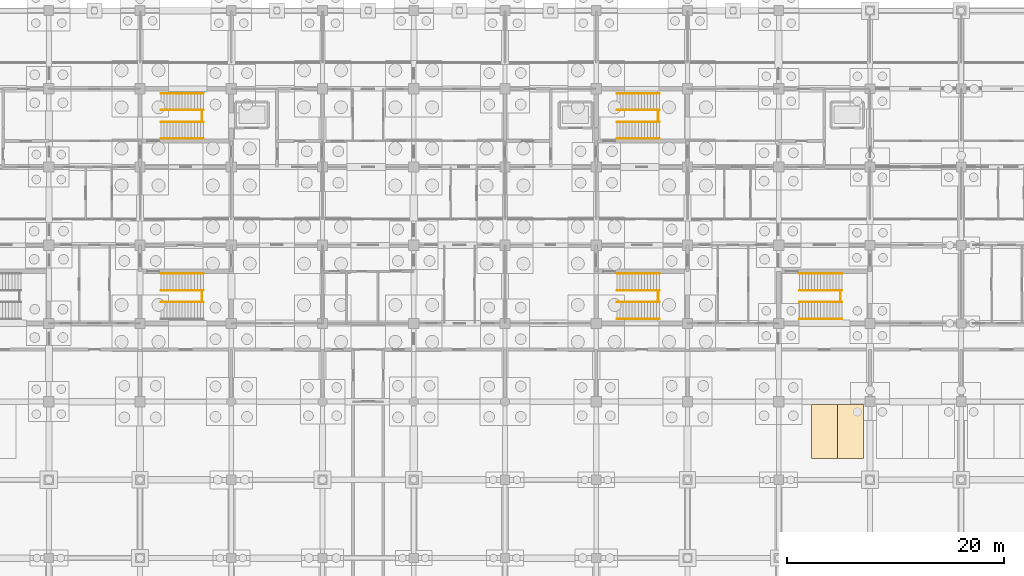
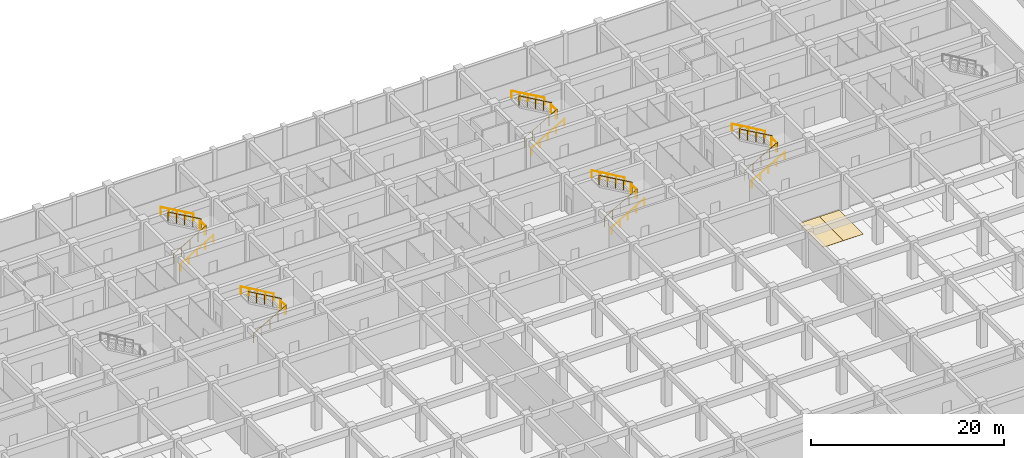
# One storey, part 83 of 85: 24 railings, 2 coverings.
"""IFC4 building model written with IfcOpenShell, lengths in metres."""

from ifc_helpers import new_model, si_unit, direction, frame, origin, origin_2d, place, context, subcontext, project, spatial, polyline, circle, outline, extrude, material, layer, layer_set, type_object, element, save


model = new_model("IFC4")

# Units and contexts
model_context = context("Model", 3, precision=1e-05, world=origin(), true_north=direction((0.0, 1.0)))
body_context = subcontext(model_context, "Body", "Model", "MODEL_VIEW")
ifc_project = project(units=[si_unit("LENGTHUNIT", "METRE"), si_unit("AREAUNIT", "SQUARE_METRE"), si_unit("VOLUMEUNIT", "CUBIC_METRE"), si_unit("PLANEANGLEUNIT", "RADIAN"), si_unit("MASSUNIT", "GRAM", prefix="KILO")], contexts=[model_context])

# Site, building, storey
site_placement = place(None, origin())
site = spatial("IfcSite", under=ifc_project, at=site_placement, CompositionType="ELEMENT")
building_placement = place(site_placement, origin())
building = spatial("IfcBuilding", under=site, at=building_placement, Name="Chengyuan Square Courthouse", CompositionType="ELEMENT")
storey_placement = place(building_placement, frame((0.0, 0.0, -10.199951171875)))
storey = spatial("IfcBuildingStorey", under=building, at=storey_placement, Name="B02", CompositionType="ELEMENT", Elevation=-10.199951171875)

# Coverings
ifc_material_1 = material(Name="Thermoplastic Parking Bay Marking Paint")
ifc_layer = layer(ifc_material_1, 0.010009765625)
ifc_layer_set = layer_set([ifc_layer], Name="Thermoplastic Parking Bay Marking Paint")
covering_type = type_object("IfcCoveringType", Name="PKB-01", PredefinedType="FLOORING", material=ifc_layer_set)
covering_1_placement = place(storey_placement, origin())
element("IfcCovering", 1, at=covering_1_placement, inside=storey, type_object=covering_type, Name="Parking Bay Marking B02-P240", PredefinedType="FLOORING", context=body_context, shape_type="SweptSolid", body=[
    extrude(outline(polyline([(120.60009765625, 73.949951171875), (123.0, 73.949951171875), (123.0, 78.949951171875), (120.60009765625, 78.949951171875), (120.60009765625, 73.949951171875)])), origin(), (0.0, 0.0, 1.0), 0.010009765625),
])
covering_2_placement = place(storey_placement, origin())
element("IfcCovering", 2, at=covering_2_placement, inside=storey, type_object=covering_type, Name="Parking Bay Marking B02-P241", PredefinedType="FLOORING", context=body_context, shape_type="SweptSolid", body=[
    extrude(outline(polyline([(123.0, 73.949951171875), (125.39990234375, 73.949951171875), (125.39990234375, 78.949951171875), (123.0, 78.949951171875), (123.0, 73.949951171875)])), origin(), (0.0, 0.0, 1.0), 0.010009765625),
])

# Railings
ifc_material_2 = material(Name="Tempered Glass and Timber Top-Rail Balustrade", Category="wood")
railing_type_1 = type_object("IfcRailingType", Name="RL-02", PredefinedType="BALUSTRADE", material=ifc_material_2)
railing_1_placement = place(storey_placement, frame((64.510009765625, 105.0, 2.39990234375)))
element("IfcRailing", 3, at=railing_1_placement, inside=storey, type_object=railing_type_1, Name="Stair Landing Guard ST-1-B02", PredefinedType="BALUSTRADE", context=body_context, shape_type="SweptSolid", body=[
    extrude(circle(Radius=0.02392578125, at=origin_2d()), frame((0.0, 0.0, 1.17578125), z_axis=(0.0, 1.0, 0.0), x_axis=(-1.0, 0.0, 0.0)), (0.0, 0.0, 1.0), 1.0),
    extrude(circle(Radius=0.02099609375, at=origin_2d()), origin(), (0.0, 0.0, 1.0), 1.15185546875),
    extrude(circle(Radius=0.02099609375, at=origin_2d()), frame((0.0, 1.0, 0.0)), (0.0, 0.0, 1.0), 1.15185546875),
])
railing_2_placement = place(storey_placement, frame((60.7099609375, 104.949951171875, 0.159912109375)))
element("IfcRailing", 4, at=railing_2_placement, inside=storey, type_object=railing_type_1, Name="Stair Flight 1 Guard ST-1-B02", PredefinedType="BALUSTRADE", context=body_context, shape_type="SweptSolid", body=[
    extrude(circle(Radius=0.02392578125, at=origin_2d()), frame((0.0, 0.0, 1.17578125), z_axis=(0.868239814368, 0.0, 0.496144761885), x_axis=(0.0, 1.0, 0.0)), (0.0, 0.0, 1.0), 4.514892578125),
    extrude(circle(Radius=0.02099609375, at=origin_2d()), origin(), (0.0, 0.0, 1.0), 1.15185546875),
    extrude(circle(Radius=0.02099609375, at=origin_2d()), frame((0.97998046875, 0.0, 0.56005859375)), (0.0, 0.0, 1.0), 1.15185546875),
    extrude(circle(Radius=0.02099609375, at=origin_2d()), frame((1.9599609375, 0.0, 1.1201171875)), (0.0, 0.0, 1.0), 1.15185546875),
    extrude(circle(Radius=0.02099609375, at=origin_2d()), frame((2.93994140625, 0.0, 1.679931640625)), (0.0, 0.0, 1.0), 1.15185546875),
    extrude(circle(Radius=0.02099609375, at=origin_2d()), frame((3.919921875, 0.0, 2.239990234375)), (0.0, 0.0, 1.0), 1.15185546875),
])
railing_3_placement = place(storey_placement, frame((64.6298828125, 106.050048828125, 2.56005859375)))
element("IfcRailing", 5, at=railing_3_placement, inside=storey, type_object=railing_type_1, Name="Stair Flight 2 Guard ST-1-B02", PredefinedType="BALUSTRADE", context=body_context, shape_type="SweptSolid", body=[
    extrude(circle(Radius=0.02392578125, at=origin_2d()), frame((0.0, 0.0, 1.17578125), z_axis=(-0.868239814368, 0.0, 0.496144761885), x_axis=(0.0, -1.0, 0.0)), (0.0, 0.0, 1.0), 4.514892578125),
    extrude(circle(Radius=0.02099609375, at=origin_2d()), origin(), (0.0, 0.0, 1.0), 1.15185546875),
    extrude(circle(Radius=0.02099609375, at=origin_2d()), frame((-0.97998046875, 0.0, 0.56005859375)), (0.0, 0.0, 1.0), 1.15185546875),
    extrude(circle(Radius=0.02099609375, at=origin_2d()), frame((-1.9599609375, 0.0, 1.1201171875)), (0.0, 0.0, 1.0), 1.15185546875),
    extrude(circle(Radius=0.02099609375, at=origin_2d()), frame((-2.93994140625, 0.0, 1.679931640625)), (0.0, 0.0, 1.0), 1.15185546875),
    extrude(circle(Radius=0.02099609375, at=origin_2d()), frame((-3.919921875, 0.0, 2.239990234375)), (0.0, 0.0, 1.0), 1.15185546875),
])
railing_4_placement = place(storey_placement, frame((106.510009765625, 105.0, 2.39990234375)))
element("IfcRailing", 6, at=railing_4_placement, inside=storey, type_object=railing_type_1, Name="Stair Landing Guard ST-2-B02", PredefinedType="BALUSTRADE", context=body_context, shape_type="SweptSolid", body=[
    extrude(circle(Radius=0.02392578125, at=origin_2d()), frame((0.0, 0.0, 1.17578125), z_axis=(0.0, 1.0, 0.0), x_axis=(-1.0, 0.0, 0.0)), (0.0, 0.0, 1.0), 1.0),
    extrude(circle(Radius=0.02099609375, at=origin_2d()), origin(), (0.0, 0.0, 1.0), 1.15185546875),
    extrude(circle(Radius=0.02099609375, at=origin_2d()), frame((0.0, 1.0, 0.0)), (0.0, 0.0, 1.0), 1.15185546875),
])
railing_5_placement = place(storey_placement, frame((102.7099609375, 104.949951171875, 0.159912109375)))
element("IfcRailing", 7, at=railing_5_placement, inside=storey, type_object=railing_type_1, Name="Stair Flight 1 Guard ST-2-B02", PredefinedType="BALUSTRADE", context=body_context, shape_type="SweptSolid", body=[
    extrude(circle(Radius=0.02392578125, at=origin_2d()), frame((0.0, 0.0, 1.17578125), z_axis=(0.868239814368, 0.0, 0.496144761885), x_axis=(0.0, 1.0, 0.0)), (0.0, 0.0, 1.0), 4.514892578125),
    extrude(circle(Radius=0.02099609375, at=origin_2d()), origin(), (0.0, 0.0, 1.0), 1.15185546875),
    extrude(circle(Radius=0.02099609375, at=origin_2d()), frame((0.97998046875, 0.0, 0.56005859375)), (0.0, 0.0, 1.0), 1.15185546875),
    extrude(circle(Radius=0.02099609375, at=origin_2d()), frame((1.9599609375, 0.0, 1.1201171875)), (0.0, 0.0, 1.0), 1.15185546875),
    extrude(circle(Radius=0.02099609375, at=origin_2d()), frame((2.93994140625, 0.0, 1.679931640625)), (0.0, 0.0, 1.0), 1.15185546875),
    extrude(circle(Radius=0.02099609375, at=origin_2d()), frame((3.919921875, 0.0, 2.239990234375)), (0.0, 0.0, 1.0), 1.15185546875),
])
railing_6_placement = place(storey_placement, frame((106.6298828125, 106.050048828125, 2.56005859375)))
element("IfcRailing", 8, at=railing_6_placement, inside=storey, type_object=railing_type_1, Name="Stair Flight 2 Guard ST-2-B02", PredefinedType="BALUSTRADE", context=body_context, shape_type="SweptSolid", body=[
    extrude(circle(Radius=0.02392578125, at=origin_2d()), frame((0.0, 0.0, 1.17578125), z_axis=(-0.868239814368, 0.0, 0.496144761885), x_axis=(0.0, -1.0, 0.0)), (0.0, 0.0, 1.0), 4.514892578125),
    extrude(circle(Radius=0.02099609375, at=origin_2d()), origin(), (0.0, 0.0, 1.0), 1.15185546875),
    extrude(circle(Radius=0.02099609375, at=origin_2d()), frame((-0.97998046875, 0.0, 0.56005859375)), (0.0, 0.0, 1.0), 1.15185546875),
    extrude(circle(Radius=0.02099609375, at=origin_2d()), frame((-1.9599609375, 0.0, 1.1201171875)), (0.0, 0.0, 1.0), 1.15185546875),
    extrude(circle(Radius=0.02099609375, at=origin_2d()), frame((-2.93994140625, 0.0, 1.679931640625)), (0.0, 0.0, 1.0), 1.15185546875),
    extrude(circle(Radius=0.02099609375, at=origin_2d()), frame((-3.919921875, 0.0, 2.239990234375)), (0.0, 0.0, 1.0), 1.15185546875),
])
railing_7_placement = place(storey_placement, frame((64.510009765625, 88.39990234375, 2.39990234375)))
element("IfcRailing", 9, at=railing_7_placement, inside=storey, type_object=railing_type_1, Name="Stair Landing Guard ST-3-B02", PredefinedType="BALUSTRADE", context=body_context, shape_type="SweptSolid", body=[
    extrude(circle(Radius=0.02392578125, at=origin_2d()), frame((0.0, 0.0, 1.17578125), z_axis=(0.0, 1.0, 0.0), x_axis=(-1.0, 0.0, 0.0)), (0.0, 0.0, 1.0), 1.0),
    extrude(circle(Radius=0.02099609375, at=origin_2d()), origin(), (0.0, 0.0, 1.0), 1.15185546875),
    extrude(circle(Radius=0.02099609375, at=origin_2d()), frame((0.0, 1.0, 0.0)), (0.0, 0.0, 1.0), 1.15185546875),
])
railing_8_placement = place(storey_placement, frame((60.7099609375, 88.35009765625, 0.159912109375)))
element("IfcRailing", 10, at=railing_8_placement, inside=storey, type_object=railing_type_1, Name="Stair Flight 1 Guard ST-3-B02", PredefinedType="BALUSTRADE", context=body_context, shape_type="SweptSolid", body=[
    extrude(circle(Radius=0.02392578125, at=origin_2d()), frame((0.0, 0.0, 1.17578125), z_axis=(0.868239814368, 0.0, 0.496144761885), x_axis=(0.0, 1.0, 0.0)), (0.0, 0.0, 1.0), 4.514892578125),
    extrude(circle(Radius=0.02099609375, at=origin_2d()), origin(), (0.0, 0.0, 1.0), 1.15185546875),
    extrude(circle(Radius=0.02099609375, at=origin_2d()), frame((0.97998046875, 0.0, 0.56005859375)), (0.0, 0.0, 1.0), 1.15185546875),
    extrude(circle(Radius=0.02099609375, at=origin_2d()), frame((1.9599609375, 0.0, 1.1201171875)), (0.0, 0.0, 1.0), 1.15185546875),
    extrude(circle(Radius=0.02099609375, at=origin_2d()), frame((2.93994140625, 0.0, 1.679931640625)), (0.0, 0.0, 1.0), 1.15185546875),
    extrude(circle(Radius=0.02099609375, at=origin_2d()), frame((3.919921875, 0.0, 2.239990234375)), (0.0, 0.0, 1.0), 1.15185546875),
])
railing_9_placement = place(storey_placement, frame((64.6298828125, 89.449951171875, 2.56005859375)))
element("IfcRailing", 11, at=railing_9_placement, inside=storey, type_object=railing_type_1, Name="Stair Flight 2 Guard ST-3-B02", PredefinedType="BALUSTRADE", context=body_context, shape_type="SweptSolid", body=[
    extrude(circle(Radius=0.02392578125, at=origin_2d()), frame((0.0, 0.0, 1.17578125), z_axis=(-0.868239814368, 0.0, 0.496144761885), x_axis=(0.0, -1.0, 0.0)), (0.0, 0.0, 1.0), 4.514892578125),
    extrude(circle(Radius=0.02099609375, at=origin_2d()), origin(), (0.0, 0.0, 1.0), 1.15185546875),
    extrude(circle(Radius=0.02099609375, at=origin_2d()), frame((-0.97998046875, 0.0, 0.56005859375)), (0.0, 0.0, 1.0), 1.15185546875),
    extrude(circle(Radius=0.02099609375, at=origin_2d()), frame((-1.9599609375, 0.0, 1.1201171875)), (0.0, 0.0, 1.0), 1.15185546875),
    extrude(circle(Radius=0.02099609375, at=origin_2d()), frame((-2.93994140625, 0.0, 1.679931640625)), (0.0, 0.0, 1.0), 1.15185546875),
    extrude(circle(Radius=0.02099609375, at=origin_2d()), frame((-3.919921875, 0.0, 2.239990234375)), (0.0, 0.0, 1.0), 1.15185546875),
])
railing_10_placement = place(storey_placement, frame((106.510009765625, 88.39990234375, 2.39990234375)))
element("IfcRailing", 12, at=railing_10_placement, inside=storey, type_object=railing_type_1, Name="Stair Landing Guard ST-4-B02", PredefinedType="BALUSTRADE", context=body_context, shape_type="SweptSolid", body=[
    extrude(circle(Radius=0.02392578125, at=origin_2d()), frame((0.0, 0.0, 1.17578125), z_axis=(0.0, 1.0, 0.0), x_axis=(-1.0, 0.0, 0.0)), (0.0, 0.0, 1.0), 1.0),
    extrude(circle(Radius=0.02099609375, at=origin_2d()), origin(), (0.0, 0.0, 1.0), 1.15185546875),
    extrude(circle(Radius=0.02099609375, at=origin_2d()), frame((0.0, 1.0, 0.0)), (0.0, 0.0, 1.0), 1.15185546875),
])
railing_11_placement = place(storey_placement, frame((102.7099609375, 88.35009765625, 0.159912109375)))
element("IfcRailing", 13, at=railing_11_placement, inside=storey, type_object=railing_type_1, Name="Stair Flight 1 Guard ST-4-B02", PredefinedType="BALUSTRADE", context=body_context, shape_type="SweptSolid", body=[
    extrude(circle(Radius=0.02392578125, at=origin_2d()), frame((0.0, 0.0, 1.17578125), z_axis=(0.868239814368, 0.0, 0.496144761885), x_axis=(0.0, 1.0, 0.0)), (0.0, 0.0, 1.0), 4.514892578125),
    extrude(circle(Radius=0.02099609375, at=origin_2d()), origin(), (0.0, 0.0, 1.0), 1.15185546875),
    extrude(circle(Radius=0.02099609375, at=origin_2d()), frame((0.97998046875, 0.0, 0.56005859375)), (0.0, 0.0, 1.0), 1.15185546875),
    extrude(circle(Radius=0.02099609375, at=origin_2d()), frame((1.9599609375, 0.0, 1.1201171875)), (0.0, 0.0, 1.0), 1.15185546875),
    extrude(circle(Radius=0.02099609375, at=origin_2d()), frame((2.93994140625, 0.0, 1.679931640625)), (0.0, 0.0, 1.0), 1.15185546875),
    extrude(circle(Radius=0.02099609375, at=origin_2d()), frame((3.919921875, 0.0, 2.239990234375)), (0.0, 0.0, 1.0), 1.15185546875),
])
railing_12_placement = place(storey_placement, frame((106.6298828125, 89.449951171875, 2.56005859375)))
element("IfcRailing", 14, at=railing_12_placement, inside=storey, type_object=railing_type_1, Name="Stair Flight 2 Guard ST-4-B02", PredefinedType="BALUSTRADE", context=body_context, shape_type="SweptSolid", body=[
    extrude(circle(Radius=0.02392578125, at=origin_2d()), frame((0.0, 0.0, 1.17578125), z_axis=(-0.868239814368, 0.0, 0.496144761885), x_axis=(0.0, -1.0, 0.0)), (0.0, 0.0, 1.0), 4.514892578125),
    extrude(circle(Radius=0.02099609375, at=origin_2d()), origin(), (0.0, 0.0, 1.0), 1.15185546875),
    extrude(circle(Radius=0.02099609375, at=origin_2d()), frame((-0.97998046875, 0.0, 0.56005859375)), (0.0, 0.0, 1.0), 1.15185546875),
    extrude(circle(Radius=0.02099609375, at=origin_2d()), frame((-1.9599609375, 0.0, 1.1201171875)), (0.0, 0.0, 1.0), 1.15185546875),
    extrude(circle(Radius=0.02099609375, at=origin_2d()), frame((-2.93994140625, 0.0, 1.679931640625)), (0.0, 0.0, 1.0), 1.15185546875),
    extrude(circle(Radius=0.02099609375, at=origin_2d()), frame((-3.919921875, 0.0, 2.239990234375)), (0.0, 0.0, 1.0), 1.15185546875),
])
railing_13_placement = place(storey_placement, frame((123.31005859375, 88.39990234375, 2.39990234375)))
element("IfcRailing", 15, at=railing_13_placement, inside=storey, type_object=railing_type_1, Name="Stair Landing Guard ST-6-B02", PredefinedType="BALUSTRADE", context=body_context, shape_type="SweptSolid", body=[
    extrude(circle(Radius=0.02392578125, at=origin_2d()), frame((0.0, 0.0, 1.17578125), z_axis=(0.0, 1.0, 0.0), x_axis=(-1.0, 0.0, 0.0)), (0.0, 0.0, 1.0), 1.0),
    extrude(circle(Radius=0.02099609375, at=origin_2d()), origin(), (0.0, 0.0, 1.0), 1.15185546875),
    extrude(circle(Radius=0.02099609375, at=origin_2d()), frame((0.0, 1.0, 0.0)), (0.0, 0.0, 1.0), 1.15185546875),
])
railing_14_placement = place(storey_placement, frame((119.510009765625, 88.35009765625, 0.159912109375)))
element("IfcRailing", 16, at=railing_14_placement, inside=storey, type_object=railing_type_1, Name="Stair Flight 1 Guard ST-6-B02", PredefinedType="BALUSTRADE", context=body_context, shape_type="SweptSolid", body=[
    extrude(circle(Radius=0.02392578125, at=origin_2d()), frame((0.0, 0.0, 1.17578125), z_axis=(0.868239814368, 0.0, 0.496144761885), x_axis=(0.0, 1.0, 0.0)), (0.0, 0.0, 1.0), 4.514892578125),
    extrude(circle(Radius=0.02099609375, at=origin_2d()), origin(), (0.0, 0.0, 1.0), 1.15185546875),
    extrude(circle(Radius=0.02099609375, at=origin_2d()), frame((0.97998046875, 0.0, 0.56005859375)), (0.0, 0.0, 1.0), 1.15185546875),
    extrude(circle(Radius=0.02099609375, at=origin_2d()), frame((1.9599609375, 0.0, 1.1201171875)), (0.0, 0.0, 1.0), 1.15185546875),
    extrude(circle(Radius=0.02099609375, at=origin_2d()), frame((2.93994140625, 0.0, 1.679931640625)), (0.0, 0.0, 1.0), 1.15185546875),
    extrude(circle(Radius=0.02099609375, at=origin_2d()), frame((3.919921875, 0.0, 2.239990234375)), (0.0, 0.0, 1.0), 1.15185546875),
])
railing_15_placement = place(storey_placement, frame((123.429931640625, 89.449951171875, 2.56005859375)))
element("IfcRailing", 17, at=railing_15_placement, inside=storey, type_object=railing_type_1, Name="Stair Flight 2 Guard ST-6-B02", PredefinedType="BALUSTRADE", context=body_context, shape_type="SweptSolid", body=[
    extrude(circle(Radius=0.02392578125, at=origin_2d()), frame((0.0, 0.0, 1.17578125), z_axis=(-0.868239814368, 0.0, 0.496144761885), x_axis=(0.0, -1.0, 0.0)), (0.0, 0.0, 1.0), 4.514892578125),
    extrude(circle(Radius=0.02099609375, at=origin_2d()), origin(), (0.0, 0.0, 1.0), 1.15185546875),
    extrude(circle(Radius=0.02099609375, at=origin_2d()), frame((-0.97998046875, 0.0, 0.56005859375)), (0.0, 0.0, 1.0), 1.15185546875),
    extrude(circle(Radius=0.02099609375, at=origin_2d()), frame((-1.9599609375, 0.0, 1.1201171875)), (0.0, 0.0, 1.0), 1.15185546875),
    extrude(circle(Radius=0.02099609375, at=origin_2d()), frame((-2.93994140625, 0.0, 1.679931640625)), (0.0, 0.0, 1.0), 1.15185546875),
    extrude(circle(Radius=0.02099609375, at=origin_2d()), frame((-3.919921875, 0.0, 2.239990234375)), (0.0, 0.0, 1.0), 1.15185546875),
])
ifc_material_3 = material(Name="Stainless Steel S30408 Stair Handrail", Category="steel")
railing_type_2 = type_object("IfcRailingType", Name="RL-04", PredefinedType="HANDRAIL", material=ifc_material_3)
railing_16_placement = place(storey_placement, frame((60.7099609375, 103.419921875, 0.159912109375)))
element("IfcRailing", 18, at=railing_16_placement, inside=storey, type_object=railing_type_2, Name="Stair Flight 1 Handrail ST-1-B02", PredefinedType="HANDRAIL", context=body_context, shape_type="SweptSolid", body=[
    extrude(circle(Radius=0.02392578125, at=origin_2d()), frame((0.0, 0.0, 0.8759765625), z_axis=(0.868239814368, 0.0, 0.496144761885), x_axis=(0.0, 1.0, 0.0)), (0.0, 0.0, 1.0), 4.514892578125),
    extrude(circle(Radius=0.02099609375, at=origin_2d()), origin(), (0.0, 0.0, 1.0), 0.851806640625),
    extrude(circle(Radius=0.02099609375, at=origin_2d()), frame((0.97998046875, 0.0, 0.56005859375)), (0.0, 0.0, 1.0), 0.851806640625),
    extrude(circle(Radius=0.02099609375, at=origin_2d()), frame((1.9599609375, 0.0, 1.1201171875)), (0.0, 0.0, 1.0), 0.851806640625),
    extrude(circle(Radius=0.02099609375, at=origin_2d()), frame((2.93994140625, 0.0, 1.679931640625)), (0.0, 0.0, 1.0), 0.851806640625),
    extrude(circle(Radius=0.02099609375, at=origin_2d()), frame((3.919921875, 0.0, 2.239990234375)), (0.0, 0.0, 1.0), 0.851806640625),
])
railing_17_placement = place(storey_placement, frame((64.6298828125, 107.580078125, 2.56005859375)))
element("IfcRailing", 19, at=railing_17_placement, inside=storey, type_object=railing_type_2, Name="Stair Flight 2 Handrail ST-1-B02", PredefinedType="HANDRAIL", context=body_context, shape_type="SweptSolid", body=[
    extrude(circle(Radius=0.02392578125, at=origin_2d()), frame((0.0, 0.0, 0.8759765625), z_axis=(-0.868239814368, 0.0, 0.496144761885), x_axis=(0.0, -1.0, 0.0)), (0.0, 0.0, 1.0), 4.514892578125),
    extrude(circle(Radius=0.02099609375, at=origin_2d()), origin(), (0.0, 0.0, 1.0), 0.851806640625),
    extrude(circle(Radius=0.02099609375, at=origin_2d()), frame((-0.97998046875, 0.0, 0.56005859375)), (0.0, 0.0, 1.0), 0.851806640625),
    extrude(circle(Radius=0.02099609375, at=origin_2d()), frame((-1.9599609375, 0.0, 1.1201171875)), (0.0, 0.0, 1.0), 0.851806640625),
    extrude(circle(Radius=0.02099609375, at=origin_2d()), frame((-2.93994140625, 0.0, 1.679931640625)), (0.0, 0.0, 1.0), 0.851806640625),
    extrude(circle(Radius=0.02099609375, at=origin_2d()), frame((-3.919921875, 0.0, 2.239990234375)), (0.0, 0.0, 1.0), 0.851806640625),
])
railing_18_placement = place(storey_placement, frame((102.7099609375, 103.419921875, 0.159912109375)))
element("IfcRailing", 20, at=railing_18_placement, inside=storey, type_object=railing_type_2, Name="Stair Flight 1 Handrail ST-2-B02", PredefinedType="HANDRAIL", context=body_context, shape_type="SweptSolid", body=[
    extrude(circle(Radius=0.02392578125, at=origin_2d()), frame((0.0, 0.0, 0.8759765625), z_axis=(0.868239814368, 0.0, 0.496144761885), x_axis=(0.0, 1.0, 0.0)), (0.0, 0.0, 1.0), 4.514892578125),
    extrude(circle(Radius=0.02099609375, at=origin_2d()), origin(), (0.0, 0.0, 1.0), 0.851806640625),
    extrude(circle(Radius=0.02099609375, at=origin_2d()), frame((0.97998046875, 0.0, 0.56005859375)), (0.0, 0.0, 1.0), 0.851806640625),
    extrude(circle(Radius=0.02099609375, at=origin_2d()), frame((1.9599609375, 0.0, 1.1201171875)), (0.0, 0.0, 1.0), 0.851806640625),
    extrude(circle(Radius=0.02099609375, at=origin_2d()), frame((2.93994140625, 0.0, 1.679931640625)), (0.0, 0.0, 1.0), 0.851806640625),
    extrude(circle(Radius=0.02099609375, at=origin_2d()), frame((3.919921875, 0.0, 2.239990234375)), (0.0, 0.0, 1.0), 0.851806640625),
])
for number, where, name in (
    (21, (106.6298828125, 107.580078125, 2.56005859375), "Stair Flight 2 Handrail ST-2-B02"),
    (22, (64.6298828125, 90.97998046875, 2.56005859375), "Stair Flight 2 Handrail ST-3-B02"),
):
    element("IfcRailing", number, at=place(storey_placement, frame(where)), inside=storey, type_object=railing_type_2, Name=name, PredefinedType="HANDRAIL", context=body_context, shape_type="SweptSolid", body=[
        extrude(circle(Radius=0.02392578125, at=origin_2d()), frame((0.0, 0.0, 0.8759765625), z_axis=(-0.868239814368, 0.0, 0.496144761885), x_axis=(0.0, -1.0, 0.0)), (0.0, 0.0, 1.0), 4.514892578125),
        extrude(circle(Radius=0.02099609375, at=origin_2d()), origin(), (0.0, 0.0, 1.0), 0.851806640625),
        extrude(circle(Radius=0.02099609375, at=origin_2d()), frame((-0.97998046875, 0.0, 0.56005859375)), (0.0, 0.0, 1.0), 0.851806640625),
        extrude(circle(Radius=0.02099609375, at=origin_2d()), frame((-1.9599609375, 0.0, 1.1201171875)), (0.0, 0.0, 1.0), 0.851806640625),
        extrude(circle(Radius=0.02099609375, at=origin_2d()), frame((-2.93994140625, 0.0, 1.679931640625)), (0.0, 0.0, 1.0), 0.851806640625),
        extrude(circle(Radius=0.02099609375, at=origin_2d()), frame((-3.919921875, 0.0, 2.239990234375)), (0.0, 0.0, 1.0), 0.851806640625),
    ])
railing_19_placement = place(storey_placement, frame((102.7099609375, 86.820068359375, 0.159912109375)))
element("IfcRailing", 23, at=railing_19_placement, inside=storey, type_object=railing_type_2, Name="Stair Flight 1 Handrail ST-4-B02", PredefinedType="HANDRAIL", context=body_context, shape_type="SweptSolid", body=[
    extrude(circle(Radius=0.02392578125, at=origin_2d()), frame((0.0, 0.0, 0.8759765625), z_axis=(0.868239814368, 0.0, 0.496144761885), x_axis=(0.0, 1.0, 0.0)), (0.0, 0.0, 1.0), 4.514892578125),
    extrude(circle(Radius=0.02099609375, at=origin_2d()), origin(), (0.0, 0.0, 1.0), 0.851806640625),
    extrude(circle(Radius=0.02099609375, at=origin_2d()), frame((0.97998046875, 0.0, 0.56005859375)), (0.0, 0.0, 1.0), 0.851806640625),
    extrude(circle(Radius=0.02099609375, at=origin_2d()), frame((1.9599609375, 0.0, 1.1201171875)), (0.0, 0.0, 1.0), 0.851806640625),
    extrude(circle(Radius=0.02099609375, at=origin_2d()), frame((2.93994140625, 0.0, 1.679931640625)), (0.0, 0.0, 1.0), 0.851806640625),
    extrude(circle(Radius=0.02099609375, at=origin_2d()), frame((3.919921875, 0.0, 2.239990234375)), (0.0, 0.0, 1.0), 0.851806640625),
])
railing_20_placement = place(storey_placement, frame((106.6298828125, 90.97998046875, 2.56005859375)))
element("IfcRailing", 24, at=railing_20_placement, inside=storey, type_object=railing_type_2, Name="Stair Flight 2 Handrail ST-4-B02", PredefinedType="HANDRAIL", context=body_context, shape_type="SweptSolid", body=[
    extrude(circle(Radius=0.02392578125, at=origin_2d()), frame((0.0, 0.0, 0.8759765625), z_axis=(-0.868239814368, 0.0, 0.496144761885), x_axis=(0.0, -1.0, 0.0)), (0.0, 0.0, 1.0), 4.514892578125),
    extrude(circle(Radius=0.02099609375, at=origin_2d()), origin(), (0.0, 0.0, 1.0), 0.851806640625),
    extrude(circle(Radius=0.02099609375, at=origin_2d()), frame((-0.97998046875, 0.0, 0.56005859375)), (0.0, 0.0, 1.0), 0.851806640625),
    extrude(circle(Radius=0.02099609375, at=origin_2d()), frame((-1.9599609375, 0.0, 1.1201171875)), (0.0, 0.0, 1.0), 0.851806640625),
    extrude(circle(Radius=0.02099609375, at=origin_2d()), frame((-2.93994140625, 0.0, 1.679931640625)), (0.0, 0.0, 1.0), 0.851806640625),
    extrude(circle(Radius=0.02099609375, at=origin_2d()), frame((-3.919921875, 0.0, 2.239990234375)), (0.0, 0.0, 1.0), 0.851806640625),
])
railing_21_placement = place(storey_placement, frame((119.510009765625, 86.820068359375, 0.159912109375)))
element("IfcRailing", 25, at=railing_21_placement, inside=storey, type_object=railing_type_2, Name="Stair Flight 1 Handrail ST-6-B02", PredefinedType="HANDRAIL", context=body_context, shape_type="SweptSolid", body=[
    extrude(circle(Radius=0.02392578125, at=origin_2d()), frame((0.0, 0.0, 0.8759765625), z_axis=(0.868239814368, 0.0, 0.496144761885), x_axis=(0.0, 1.0, 0.0)), (0.0, 0.0, 1.0), 4.514892578125),
    extrude(circle(Radius=0.02099609375, at=origin_2d()), origin(), (0.0, 0.0, 1.0), 0.851806640625),
    extrude(circle(Radius=0.02099609375, at=origin_2d()), frame((0.97998046875, 0.0, 0.56005859375)), (0.0, 0.0, 1.0), 0.851806640625),
    extrude(circle(Radius=0.02099609375, at=origin_2d()), frame((1.9599609375, 0.0, 1.1201171875)), (0.0, 0.0, 1.0), 0.851806640625),
    extrude(circle(Radius=0.02099609375, at=origin_2d()), frame((2.93994140625, 0.0, 1.679931640625)), (0.0, 0.0, 1.0), 0.851806640625),
    extrude(circle(Radius=0.02099609375, at=origin_2d()), frame((3.919921875, 0.0, 2.239990234375)), (0.0, 0.0, 1.0), 0.851806640625),
])
railing_22_placement = place(storey_placement, frame((123.429931640625, 90.97998046875, 2.56005859375)))
element("IfcRailing", 26, at=railing_22_placement, inside=storey, type_object=railing_type_2, Name="Stair Flight 2 Handrail ST-6-B02", PredefinedType="HANDRAIL", context=body_context, shape_type="SweptSolid", body=[
    extrude(circle(Radius=0.02392578125, at=origin_2d()), frame((0.0, 0.0, 0.8759765625), z_axis=(-0.868239814368, 0.0, 0.496144761885), x_axis=(0.0, -1.0, 0.0)), (0.0, 0.0, 1.0), 4.514892578125),
    extrude(circle(Radius=0.02099609375, at=origin_2d()), origin(), (0.0, 0.0, 1.0), 0.851806640625),
    extrude(circle(Radius=0.02099609375, at=origin_2d()), frame((-0.97998046875, 0.0, 0.56005859375)), (0.0, 0.0, 1.0), 0.851806640625),
    extrude(circle(Radius=0.02099609375, at=origin_2d()), frame((-1.9599609375, 0.0, 1.1201171875)), (0.0, 0.0, 1.0), 0.851806640625),
    extrude(circle(Radius=0.02099609375, at=origin_2d()), frame((-2.93994140625, 0.0, 1.679931640625)), (0.0, 0.0, 1.0), 0.851806640625),
    extrude(circle(Radius=0.02099609375, at=origin_2d()), frame((-3.919921875, 0.0, 2.239990234375)), (0.0, 0.0, 1.0), 0.851806640625),
])

save(model, "model.ifc")
